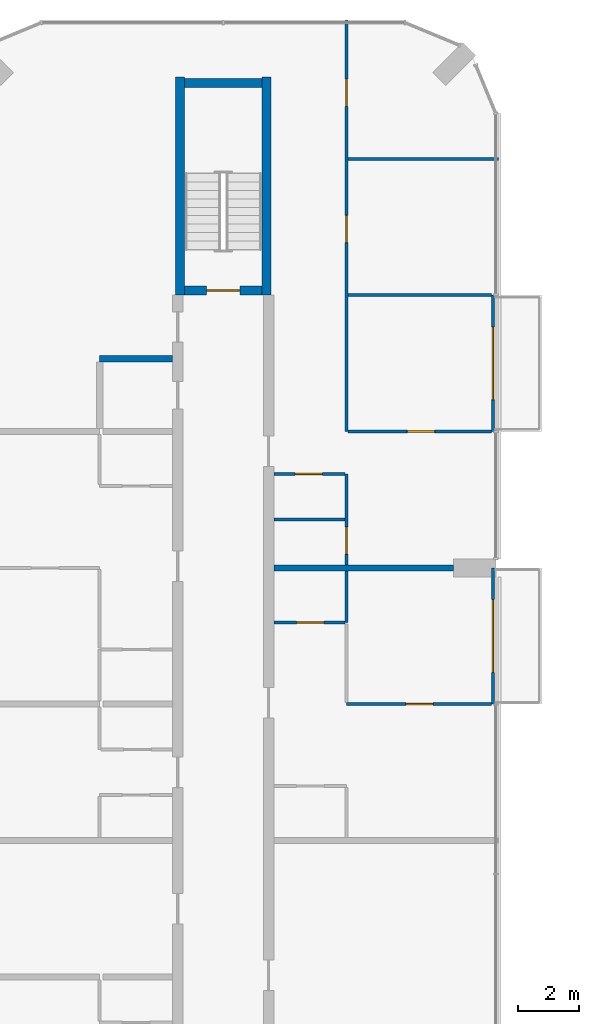
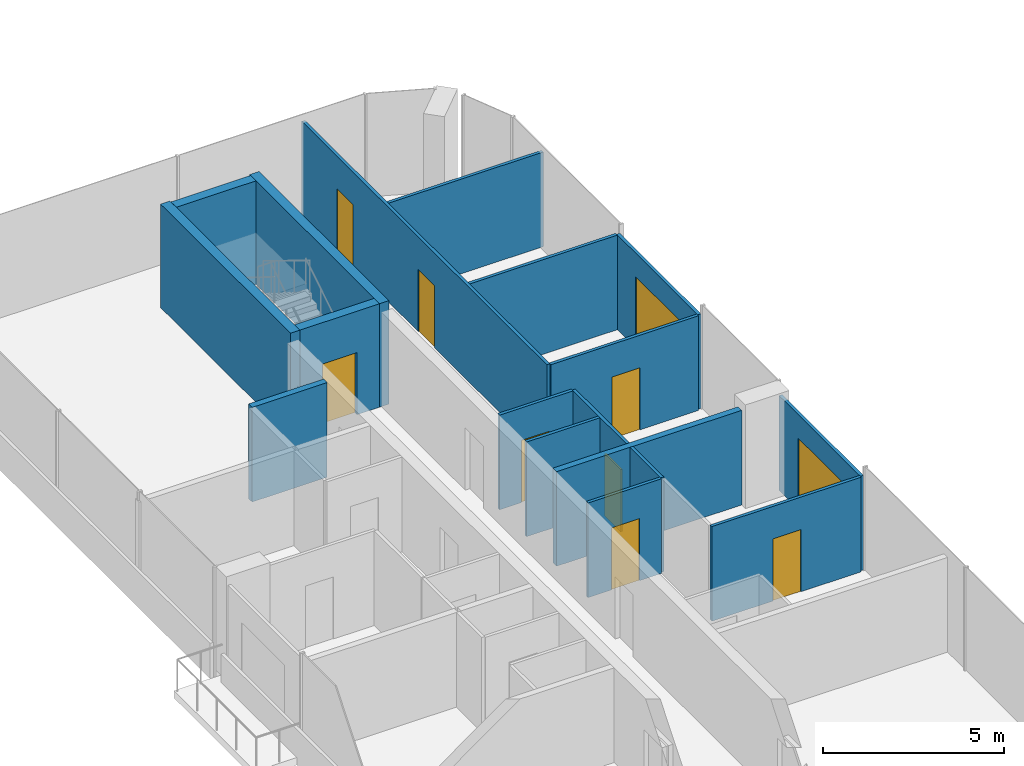
# One storey, part 16 of 22: 18 walls, 10 doors, 10 openings.
"""IFC4 building model written with IfcOpenShell, lengths in metres."""

from ifc_helpers import new_model, si_unit, direction, frame, frame_2d, origin, place, context, subcontext, project, spatial, rectangle, extrude, material, layer, layer_set, type_object, element, fill, save


model = new_model("IFC4")

# Units and contexts
model_context = context("Model", 3, precision=1e-05, world=origin(), true_north=direction((0.0, 1.0)))
body_context = subcontext(model_context, "Body", "Model", "MODEL_VIEW")
ifc_project = project(units=[si_unit("LENGTHUNIT", "METRE"), si_unit("AREAUNIT", "SQUARE_METRE"), si_unit("VOLUMEUNIT", "CUBIC_METRE"), si_unit("PLANEANGLEUNIT", "RADIAN"), si_unit("MASSUNIT", "GRAM", prefix="KILO")], contexts=[model_context])

# Site, building, storey
site_placement = place(None, origin())
site = spatial("IfcSite", under=ifc_project, at=site_placement, CompositionType="ELEMENT")
building_placement = place(site_placement, origin())
building = spatial("IfcBuilding", under=site, at=building_placement, Name="Plateau Cross Towers", CompositionType="ELEMENT")
storey_placement = place(building_placement, frame((0.0, 0.0, 68.800048828125)))
storey = spatial("IfcBuildingStorey", under=building, at=storey_placement, Name="L17", CompositionType="ELEMENT", Elevation=68.800048828125)

# Wall, opening, door
ifc_material_1 = material(Name="Aluminium framed glazing", Category="aluminium")
ifc_layer_1 = layer(ifc_material_1, 0.10009765625)
ifc_layer_set_1 = layer_set([ifc_layer_1], Name="Aluminium framed glazing")
wall_type_1 = type_object("IfcWallType", Name="Balcony screen wall 100", PredefinedType="STANDARD", material=ifc_layer_set_1)
wall_1_placement = place(storey_placement, frame((17.89990234375, 36.0, 0.0), z_axis=(0.0, 0.0, 1.0), x_axis=(0.0, -1.0, 0.0)))
wall_1 = element("IfcWall", 1, at=wall_1_placement, inside=storey, type_object=wall_type_1, Name="Balcony screen wall A-BAL-L17-02", PredefinedType="STANDARD", context=body_context, shape_type="SweptSolid", body=[
    extrude(rectangle(XDim=4.5, YDim=0.10009765625, at=frame_2d((2.25, 0.0))), origin(), (0.0, 0.0, 1.0), 3.199951171875),
])
opening_1_placement = place(wall_1_placement, frame((1.050048828125, 0.0, 0.0)))
opening_1 = element("IfcOpeningElement", 2, at=opening_1_placement, cuts=wall_1, Name="Opening D-B24", PredefinedType="OPENING", context=body_context, shape_type="SweptSolid", body=[
    extrude(rectangle(XDim=2.39990234375, YDim=2.39990234375, at=frame_2d((1.199951171875, 1.199951171875))), frame((0.0, 0.06005859375, 0.0), z_axis=(0.0, -1.0, 0.0), x_axis=(1.0, 0.0, 0.0)), (0.0, 0.0, 1.0), 0.1201171875),
])
ifc_material_2 = material(Name="Aluminium frame, double glazing", Category="aluminium")
door_type_1 = type_object("IfcDoorType", Name="Balcony sliding door 2400", OperationType="NOTDEFINED", PredefinedType="DOOR", material=ifc_material_2)
door_1_placement = place(opening_1_placement, origin())
door_1 = element("IfcDoor", 3, at=door_1_placement, inside=storey, type_object=door_type_1, Name="Balcony door A-BAL-L17-02", OperationType="SINGLE_SWING_LEFT", OverallHeight=2.39990234375, OverallWidth=2.39990234375, PredefinedType="DOOR", context=body_context, shape_type="SweptSolid", body=[
    extrude(rectangle(XDim=2.39990234375, YDim=2.39990234375, at=frame_2d((1.199951171875, 1.199951171875))), frame((0.0, 0.02490234375, 0.0), z_axis=(0.0, -1.0, 0.0), x_axis=(1.0, 0.0, 0.0)), (0.0, 0.0, 1.0), 0.050048828125),
])
fill(opening_1, door_1)

wall_2_placement = place(storey_placement, frame((17.89990234375, 45.0, 0.0), z_axis=(0.0, 0.0, 1.0), x_axis=(0.0, -1.0, 0.0)))
wall_2 = element("IfcWall", 4, at=wall_2_placement, inside=storey, type_object=wall_type_1, Name="Balcony screen wall A-BAL-L17-03", PredefinedType="STANDARD", context=body_context, shape_type="SweptSolid", body=[
    extrude(rectangle(XDim=4.5, YDim=0.10009765625, at=frame_2d((2.25, 0.0))), origin(), (0.0, 0.0, 1.0), 3.199951171875),
])
opening_2_placement = place(wall_2_placement, frame((1.050048828125, 0.0, 0.0)))
opening_2 = element("IfcOpeningElement", 5, at=opening_2_placement, cuts=wall_2, Name="Opening D-B24", PredefinedType="OPENING", context=body_context, shape_type="SweptSolid", body=[
    extrude(rectangle(XDim=2.39990234375, YDim=2.39990234375, at=frame_2d((1.199951171875, 1.199951171875))), frame((0.0, 0.06005859375, 0.0), z_axis=(0.0, -1.0, 0.0), x_axis=(1.0, 0.0, 0.0)), (0.0, 0.0, 1.0), 0.1201171875),
])
door_2_placement = place(opening_2_placement, origin())
door_2 = element("IfcDoor", 6, at=door_2_placement, inside=storey, type_object=door_type_1, Name="Balcony door A-BAL-L17-03", OperationType="SINGLE_SWING_LEFT", OverallHeight=2.39990234375, OverallWidth=2.39990234375, PredefinedType="DOOR", context=body_context, shape_type="SweptSolid", body=[
    extrude(rectangle(XDim=2.39990234375, YDim=2.39990234375, at=frame_2d((1.199951171875, 1.199951171875))), frame((0.0, 0.02490234375, 0.0), z_axis=(0.0, -1.0, 0.0), x_axis=(1.0, 0.0, 0.0)), (0.0, 0.0, 1.0), 0.050048828125),
])
fill(opening_2, door_2)

ifc_material_3 = material(Name="Gypsum board on steel studs", Category="steel")
ifc_layer_2 = layer(ifc_material_3, 0.10009765625)
ifc_layer_set_2 = layer_set([ifc_layer_2], Name="Gypsum board on steel studs")
wall_type_2 = type_object("IfcWallType", Name="Flat partition 100", PredefinedType="PARTITIONING", material=ifc_layer_set_2)
wall_3_placement = place(storey_placement, frame((13.074951171875, 31.5, 0.0), z_axis=(0.0, 0.0, 1.0), x_axis=(1.0, 0.0, 0.0)))
wall_3 = element("IfcWall", 7, at=wall_3_placement, inside=storey, type_object=wall_type_2, Name="Partition wall", PredefinedType="PARTITIONING", context=body_context, shape_type="SweptSolid", body=[
    extrude(rectangle(XDim=4.775146484375, YDim=0.10009765625, at=frame_2d((2.3876953125, 0.0))), origin(), (0.0, 0.0, 1.0), 3.199951171875),
])
opening_3_placement = place(wall_3_placement, frame((1.949951171875, 0.0, 0.0)))
opening_3 = element("IfcOpeningElement", 8, at=opening_3_placement, cuts=wall_3, Name="Opening 17-38", PredefinedType="OPENING", context=body_context, shape_type="SweptSolid", body=[
    extrude(rectangle(XDim=0.89990234375, YDim=2.10009765625, at=frame_2d((0.449951171875, 1.050048828125))), frame((0.0, 0.06005859375, 0.0), z_axis=(0.0, -1.0, 0.0), x_axis=(1.0, 0.0, 0.0)), (0.0, 0.0, 1.0), 0.1201171875),
])
ifc_material_4 = material(Name="Timber leaf", Category="wood")
door_type_2 = type_object("IfcDoorType", Name="Flat room door 900", OperationType="NOTDEFINED", PredefinedType="DOOR", material=ifc_material_4)
door_3_placement = place(opening_3_placement, origin())
door_3 = element("IfcDoor", 9, at=door_3_placement, inside=storey, type_object=door_type_2, Name="Door 17-38", OperationType="SINGLE_SWING_RIGHT", OverallHeight=2.10009765625, OverallWidth=0.89990234375, PredefinedType="DOOR", context=body_context, shape_type="SweptSolid", body=[
    extrude(rectangle(XDim=0.89990234375, YDim=2.10009765625, at=frame_2d((0.449951171875, 1.050048828125))), frame((0.0, 0.02490234375, 0.0), z_axis=(0.0, -1.0, 0.0), x_axis=(1.0, 0.0, 0.0)), (0.0, 0.0, 1.0), 0.050048828125),
])
fill(opening_3, door_3)

wall_4_placement = place(storey_placement, frame((10.675048828125, 34.199951171875, 0.0), z_axis=(0.0, 0.0, 1.0), x_axis=(1.0, 0.0, 0.0)))
wall_4 = element("IfcWall", 10, at=wall_4_placement, inside=storey, type_object=wall_type_2, Name="Partition wall", PredefinedType="PARTITIONING", context=body_context, shape_type="SweptSolid", body=[
    extrude(rectangle(XDim=2.349853515625, YDim=0.10009765625, at=frame_2d((1.1748046875, 0.0))), origin(), (0.0, 0.0, 1.0), 3.199951171875),
])
opening_4_placement = place(wall_4_placement, frame((0.75, 0.0, 0.0)))
opening_4 = element("IfcOpeningElement", 11, at=opening_4_placement, cuts=wall_4, Name="Opening 17-37", PredefinedType="OPENING", context=body_context, shape_type="SweptSolid", body=[
    extrude(rectangle(XDim=0.89990234375, YDim=2.10009765625, at=frame_2d((0.449951171875, 1.050048828125))), frame((0.0, 0.06005859375, 0.0), z_axis=(0.0, -1.0, 0.0), x_axis=(1.0, 0.0, 0.0)), (0.0, 0.0, 1.0), 0.1201171875),
])
door_4_placement = place(opening_4_placement, origin())
door_4 = element("IfcDoor", 12, at=door_4_placement, inside=storey, type_object=door_type_2, Name="Door 17-37", OperationType="SINGLE_SWING_RIGHT", OverallHeight=2.10009765625, OverallWidth=0.89990234375, PredefinedType="DOOR", context=body_context, shape_type="SweptSolid", body=[
    extrude(rectangle(XDim=0.89990234375, YDim=2.10009765625, at=frame_2d((0.449951171875, 1.050048828125))), frame((0.0, 0.02490234375, 0.0), z_axis=(0.0, -1.0, 0.0), x_axis=(1.0, 0.0, 0.0)), (0.0, 0.0, 1.0), 0.050048828125),
])
fill(opening_4, door_4)

# Wall
wall_5_placement = place(storey_placement, frame((13.02490234375, 37.60009765625, 0.0), z_axis=(0.0, 0.0, 1.0), x_axis=(-1.0, 0.0, 0.0)))
element("IfcWall", 13, at=wall_5_placement, inside=storey, type_object=wall_type_2, Name="Partition wall", PredefinedType="PARTITIONING", context=body_context, shape_type="SweptSolid", body=[
    extrude(rectangle(XDim=2.349853515625, YDim=0.10009765625, at=frame_2d((1.1748046875, 0.0))), origin(), (0.0, 0.0, 1.0), 3.199951171875),
])

# Wall, opening, door
wall_6_placement = place(storey_placement, frame((13.02490234375, 39.10009765625, 0.0), z_axis=(0.0, 0.0, 1.0), x_axis=(-1.0, 0.0, 0.0)))
wall_6 = element("IfcWall", 14, at=wall_6_placement, inside=storey, type_object=wall_type_2, Name="Partition wall", PredefinedType="PARTITIONING", context=body_context, shape_type="SweptSolid", body=[
    extrude(rectangle(XDim=2.349853515625, YDim=0.10009765625, at=frame_2d((1.1748046875, 0.0))), origin(), (0.0, 0.0, 1.0), 3.199951171875),
])
opening_5_placement = place(wall_6_placement, frame((0.75, 0.0, 0.0)))
opening_5 = element("IfcOpeningElement", 15, at=opening_5_placement, cuts=wall_6, Name="Opening 17-40", PredefinedType="OPENING", context=body_context, shape_type="SweptSolid", body=[
    extrude(rectangle(XDim=0.89990234375, YDim=2.10009765625, at=frame_2d((0.449951171875, 1.050048828125))), frame((0.0, 0.06005859375, 0.0), z_axis=(0.0, -1.0, 0.0), x_axis=(1.0, 0.0, 0.0)), (0.0, 0.0, 1.0), 0.1201171875),
])
door_5_placement = place(opening_5_placement, origin())
door_5 = element("IfcDoor", 16, at=door_5_placement, inside=storey, type_object=door_type_2, Name="Door 17-40", OperationType="SINGLE_SWING_RIGHT", OverallHeight=2.10009765625, OverallWidth=0.89990234375, PredefinedType="DOOR", context=body_context, shape_type="SweptSolid", body=[
    extrude(rectangle(XDim=0.89990234375, YDim=2.10009765625, at=frame_2d((0.449951171875, 1.050048828125))), frame((0.0, 0.02490234375, 0.0), z_axis=(0.0, -1.0, 0.0), x_axis=(1.0, 0.0, 0.0)), (0.0, 0.0, 1.0), 0.050048828125),
])
fill(opening_5, door_5)

wall_7_placement = place(storey_placement, frame((13.125, 40.5, 0.0), z_axis=(0.0, 0.0, 1.0), x_axis=(1.0, 0.0, 0.0)))
wall_7 = element("IfcWall", 17, at=wall_7_placement, inside=storey, type_object=wall_type_2, Name="Partition wall", PredefinedType="PARTITIONING", context=body_context, shape_type="SweptSolid", body=[
    extrude(rectangle(XDim=4.72509765625, YDim=0.10009765625, at=frame_2d((2.362548828125, 0.0))), origin(), (0.0, 0.0, 1.0), 3.199951171875),
])
opening_6_placement = place(wall_7_placement, frame((1.949951171875, 0.0, 0.0)))
opening_6 = element("IfcOpeningElement", 18, at=opening_6_placement, cuts=wall_7, Name="Opening 17-41", PredefinedType="OPENING", context=body_context, shape_type="SweptSolid", body=[
    extrude(rectangle(XDim=0.89990234375, YDim=2.10009765625, at=frame_2d((0.449951171875, 1.050048828125))), frame((0.0, 0.06005859375, 0.0), z_axis=(0.0, -1.0, 0.0), x_axis=(1.0, 0.0, 0.0)), (0.0, 0.0, 1.0), 0.1201171875),
])
door_6_placement = place(opening_6_placement, origin())
door_6 = element("IfcDoor", 19, at=door_6_placement, inside=storey, type_object=door_type_2, Name="Door 17-41", OperationType="SINGLE_SWING_RIGHT", OverallHeight=2.10009765625, OverallWidth=0.89990234375, PredefinedType="DOOR", context=body_context, shape_type="SweptSolid", body=[
    extrude(rectangle(XDim=0.89990234375, YDim=2.10009765625, at=frame_2d((0.449951171875, 1.050048828125))), frame((0.0, 0.02490234375, 0.0), z_axis=(0.0, -1.0, 0.0), x_axis=(1.0, 0.0, 0.0)), (0.0, 0.0, 1.0), 0.050048828125),
])
fill(opening_6, door_6)

# Walls
wall_8_placement = place(storey_placement, frame((17.85009765625, 45.0, 0.0), z_axis=(0.0, 0.0, 1.0), x_axis=(-1.0, 0.0, 0.0)))
element("IfcWall", 20, at=wall_8_placement, inside=storey, type_object=wall_type_2, Name="Partition wall", PredefinedType="PARTITIONING", context=body_context, shape_type="SweptSolid", body=[
    extrude(rectangle(XDim=4.72509765625, YDim=0.10009765625, at=frame_2d((2.362548828125, 0.0))), origin(), (0.0, 0.0, 1.0), 3.199951171875),
])
wall_9_placement = place(storey_placement, frame((18.080078125, 49.5, 0.0), z_axis=(0.0, 0.0, 1.0), x_axis=(-1.0, 0.0, 0.0)))
element("IfcWall", 21, at=wall_9_placement, inside=storey, type_object=wall_type_2, Name="Partition wall", PredefinedType="PARTITIONING", context=body_context, shape_type="SweptSolid", body=[
    extrude(rectangle(XDim=4.955078125, YDim=0.10009765625, at=frame_2d((2.4775390625, 0.0))), origin(), (0.0, 0.0, 1.0), 3.199951171875),
])

# Wall, openings, doors
wall_10_placement = place(storey_placement, frame((13.074951171875, 54.080078125, 0.0), z_axis=(0.0, 0.0, 1.0), x_axis=(0.0, -1.0, 0.0)))
wall_10 = element("IfcWall", 22, at=wall_10_placement, inside=storey, type_object=wall_type_2, Name="Partition wall", PredefinedType="PARTITIONING", context=body_context, shape_type="SweptSolid", body=[
    extrude(rectangle(XDim=13.580078125, YDim=0.10009765625, at=frame_2d((6.7900390625, 0.0))), origin(), (0.0, 0.0, 1.0), 3.199951171875),
])
opening_7_placement = place(wall_10_placement, frame((6.449951171875, 0.0, 0.0)))
opening_7 = element("IfcOpeningElement", 23, at=opening_7_placement, cuts=wall_10, Name="Opening 17-42", PredefinedType="OPENING", context=body_context, shape_type="SweptSolid", body=[
    extrude(rectangle(XDim=0.89990234375, YDim=2.10009765625, at=frame_2d((0.449951171875, 1.050048828125))), frame((0.0, 0.06005859375, 0.0), z_axis=(0.0, -1.0, 0.0), x_axis=(1.0, 0.0, 0.0)), (0.0, 0.0, 1.0), 0.1201171875),
])
opening_8_placement = place(wall_10_placement, frame((1.949951171875, 0.0, 0.0)))
opening_8 = element("IfcOpeningElement", 24, at=opening_8_placement, cuts=wall_10, Name="Opening 17-43", PredefinedType="OPENING", context=body_context, shape_type="SweptSolid", body=[
    extrude(rectangle(XDim=0.89990234375, YDim=2.10009765625, at=frame_2d((0.449951171875, 1.050048828125))), frame((0.0, 0.06005859375, 0.0), z_axis=(0.0, -1.0, 0.0), x_axis=(1.0, 0.0, 0.0)), (0.0, 0.0, 1.0), 0.1201171875),
])
door_7_placement = place(opening_7_placement, origin())
door_7 = element("IfcDoor", 25, at=door_7_placement, inside=storey, type_object=door_type_2, Name="Door 17-42", OperationType="SINGLE_SWING_RIGHT", OverallHeight=2.10009765625, OverallWidth=0.89990234375, PredefinedType="DOOR", context=body_context, shape_type="SweptSolid", body=[
    extrude(rectangle(XDim=0.89990234375, YDim=2.10009765625, at=frame_2d((0.449951171875, 1.050048828125))), frame((0.0, 0.02490234375, 0.0), z_axis=(0.0, -1.0, 0.0), x_axis=(1.0, 0.0, 0.0)), (0.0, 0.0, 1.0), 0.050048828125),
])
fill(opening_7, door_7)
door_8_placement = place(opening_8_placement, origin())
door_8 = element("IfcDoor", 26, at=door_8_placement, inside=storey, type_object=door_type_2, Name="Door 17-43", OperationType="SINGLE_SWING_LEFT", OverallHeight=2.10009765625, OverallWidth=0.89990234375, PredefinedType="DOOR", context=body_context, shape_type="SweptSolid", body=[
    extrude(rectangle(XDim=0.89990234375, YDim=2.10009765625, at=frame_2d((0.449951171875, 1.050048828125))), frame((0.0, 0.02490234375, 0.0), z_axis=(0.0, -1.0, 0.0), x_axis=(1.0, 0.0, 0.0)), (0.0, 0.0, 1.0), 0.050048828125),
])
fill(opening_8, door_8)

# Wall
wall_11_placement = place(storey_placement, frame((13.074951171875, 34.199951171875, 0.0), z_axis=(0.0, 0.0, 1.0), x_axis=(0.0, 1.0, 0.0)))
element("IfcWall", 27, at=wall_11_placement, inside=storey, type_object=wall_type_2, Name="Partition wall", PredefinedType="PARTITIONING", context=body_context, shape_type="SweptSolid", body=[
    extrude(rectangle(XDim=1.699951171875, YDim=0.10009765625, at=frame_2d((0.85009765625, 0.0))), origin(), (0.0, 0.0, 1.0), 3.199951171875),
])

# Wall, opening, door
wall_12_placement = place(storey_placement, frame((13.074951171875, 36.10009765625, 0.0), z_axis=(0.0, 0.0, 1.0), x_axis=(0.0, 1.0, 0.0)))
wall_12 = element("IfcWall", 28, at=wall_12_placement, inside=storey, type_object=wall_type_2, Name="Partition wall", PredefinedType="PARTITIONING", context=body_context, shape_type="SweptSolid", body=[
    extrude(rectangle(XDim=3.0, YDim=0.10009765625, at=frame_2d((1.5, 0.0))), origin(), (0.0, 0.0, 1.0), 3.199951171875),
])
opening_9_placement = place(wall_12_placement, frame((0.35009765625, 0.0, 0.0)))
opening_9 = element("IfcOpeningElement", 29, at=opening_9_placement, cuts=wall_12, Name="Opening 17-39", PredefinedType="OPENING", context=body_context, shape_type="SweptSolid", body=[
    extrude(rectangle(XDim=0.89990234375, YDim=2.10009765625, at=frame_2d((0.449951171875, 1.050048828125))), frame((0.0, 0.06005859375, 0.0), z_axis=(0.0, -1.0, 0.0), x_axis=(1.0, 0.0, 0.0)), (0.0, 0.0, 1.0), 0.1201171875),
])
door_9_placement = place(opening_9_placement, origin())
door_9 = element("IfcDoor", 30, at=door_9_placement, inside=storey, type_object=door_type_2, Name="Door 17-39", OperationType="SINGLE_SWING_LEFT", OverallHeight=2.10009765625, OverallWidth=0.89990234375, PredefinedType="DOOR", context=body_context, shape_type="SweptSolid", body=[
    extrude(rectangle(XDim=0.89990234375, YDim=2.10009765625, at=frame_2d((0.449951171875, 1.050048828125))), frame((0.0, 0.02490234375, 0.0), z_axis=(0.0, -1.0, 0.0), x_axis=(1.0, 0.0, 0.0)), (0.0, 0.0, 1.0), 0.050048828125),
])
fill(opening_9, door_9)

# Walls
ifc_material_5 = material(Name="Gypsum board on steel studs, two layers each side", Category="steel")
ifc_layer_3 = layer(ifc_material_5, 0.199951171875)
ifc_layer_set_3 = layer_set([ifc_layer_3], Name="Gypsum board on steel studs, two layers each side")
wall_type_3 = type_object("IfcWallType", Name="Flat party wall 200", PredefinedType="PARTITIONING", material=ifc_layer_set_3)
wall_13_placement = place(storey_placement, frame((16.60009765625, 36.0, 0.0), z_axis=(0.0, 0.0, 1.0), x_axis=(-1.0, 0.0, 0.0)))
element("IfcWall", 31, at=wall_13_placement, inside=storey, type_object=wall_type_3, Name="Party wall", PredefinedType="PARTITIONING", context=body_context, shape_type="SweptSolid", body=[
    extrude(rectangle(XDim=5.925048828125, YDim=0.199951171875, at=frame_2d((2.96240234375, 0.0))), origin(), (0.0, 0.0, 1.0), 3.199951171875),
])
wall_14_placement = place(storey_placement, frame((7.324951171875, 42.89990234375, 0.0), z_axis=(0.0, 0.0, 1.0), x_axis=(-1.0, 0.0, 0.0)))
element("IfcWall", 32, at=wall_14_placement, inside=storey, type_object=wall_type_3, Name="Party wall", PredefinedType="PARTITIONING", context=body_context, shape_type="SweptSolid", body=[
    extrude(rectangle(XDim=2.39990234375, YDim=0.199951171875, at=frame_2d((1.199951171875, 0.0))), origin(), (0.0, 0.0, 1.0), 3.199951171875),
])

# Wall, opening, door
ifc_material_6 = material(Name="Concrete C60/75", Category="concrete")
ifc_layer_4 = layer(ifc_material_6, 0.300048828125)
ifc_layer_set_4 = layer_set([ifc_layer_4], Name="Concrete C60/75")
wall_type_4 = type_object("IfcWallType", Name="Stair tower wall 300", PredefinedType="SHEAR", material=ifc_layer_set_4)
wall_15_placement = place(storey_placement, frame((7.72509765625, 45.14990234375, 0.0), z_axis=(0.0, 0.0, 1.0), x_axis=(1.0, 0.0, 0.0)))
wall_15 = element("IfcWall", 33, at=wall_15_placement, inside=storey, type_object=wall_type_4, Name="A-end-N-S@L17", PredefinedType="SHEAR", context=body_context, shape_type="SweptSolid", body=[
    extrude(rectangle(XDim=2.5498046875, YDim=0.300048828125, at=frame_2d((1.27490234375, 0.0))), origin(), (0.0, 0.0, 1.0), 3.5),
])
opening_10_placement = place(wall_15_placement, frame((0.72509765625, 0.0, 0.0)))
opening_10 = element("IfcOpeningElement", 34, at=opening_10_placement, cuts=wall_15, Name="Opening SD", PredefinedType="OPENING", context=body_context, shape_type="SweptSolid", body=[
    extrude(rectangle(XDim=1.10009765625, YDim=2.10009765625, at=frame_2d((0.550048828125, 1.050048828125))), frame((0.0, 0.159912109375, 0.0), z_axis=(0.0, -1.0, 0.0), x_axis=(1.0, 0.0, 0.0)), (0.0, 0.0, 1.0), 0.320068359375),
])
ifc_material_7 = material(Name="Steel, fire-resisting leaf", Category="steel")
door_type_3 = type_object("IfcDoorType", Name="Stair door 1100", OperationType="NOTDEFINED", PredefinedType="DOOR", material=ifc_material_7)
door_10_placement = place(opening_10_placement, origin())
door_10 = element("IfcDoor", 35, at=door_10_placement, inside=storey, type_object=door_type_3, Name="Stair door SD", OperationType="SINGLE_SWING_LEFT", OverallHeight=2.10009765625, OverallWidth=1.10009765625, PredefinedType="DOOR", context=body_context, shape_type="SweptSolid", body=[
    extrude(rectangle(XDim=1.10009765625, YDim=2.10009765625, at=frame_2d((0.550048828125, 1.050048828125))), frame((0.0, 0.02490234375, 0.0), z_axis=(0.0, -1.0, 0.0), x_axis=(1.0, 0.0, 0.0)), (0.0, 0.0, 1.0), 0.050048828125),
])
fill(opening_10, door_10)

# Walls
wall_16_placement = place(storey_placement, frame((7.72509765625, 52.0, 0.0), z_axis=(0.0, 0.0, 1.0), x_axis=(1.0, 0.0, 0.0)))
element("IfcWall", 36, at=wall_16_placement, inside=storey, type_object=wall_type_4, Name="A-end-N-N@L17", PredefinedType="SHEAR", context=body_context, shape_type="SweptSolid", body=[
    extrude(rectangle(XDim=2.5498046875, YDim=0.300048828125, at=frame_2d((1.27490234375, 0.0))), origin(), (0.0, 0.0, 1.0), 3.5),
])
for number, where, z_axis, x_axis, name in (
    (37, (7.574951171875, 45.0, 0.0), (0.0, 0.0, 1.0), (0.0, 1.0, 0.0), "A-end-N-W@L17"),
    (38, (10.425048828125, 45.0, 0.0), (0.0, 0.0, 1.0), (0.0, 1.0, 0.0), "A-end-N-E@L17"),
):
    element("IfcWall", number, at=place(storey_placement, frame(where, z_axis=z_axis, x_axis=x_axis)), inside=storey, type_object=wall_type_4, Name=name, PredefinedType="SHEAR", context=body_context, shape_type="SweptSolid", body=[
        extrude(rectangle(XDim=7.199951171875, YDim=0.300048828125, at=frame_2d((3.60009765625, 0.0))), origin(), (0.0, 0.0, 1.0), 3.5),
    ])

save(model, "model.ifc")
